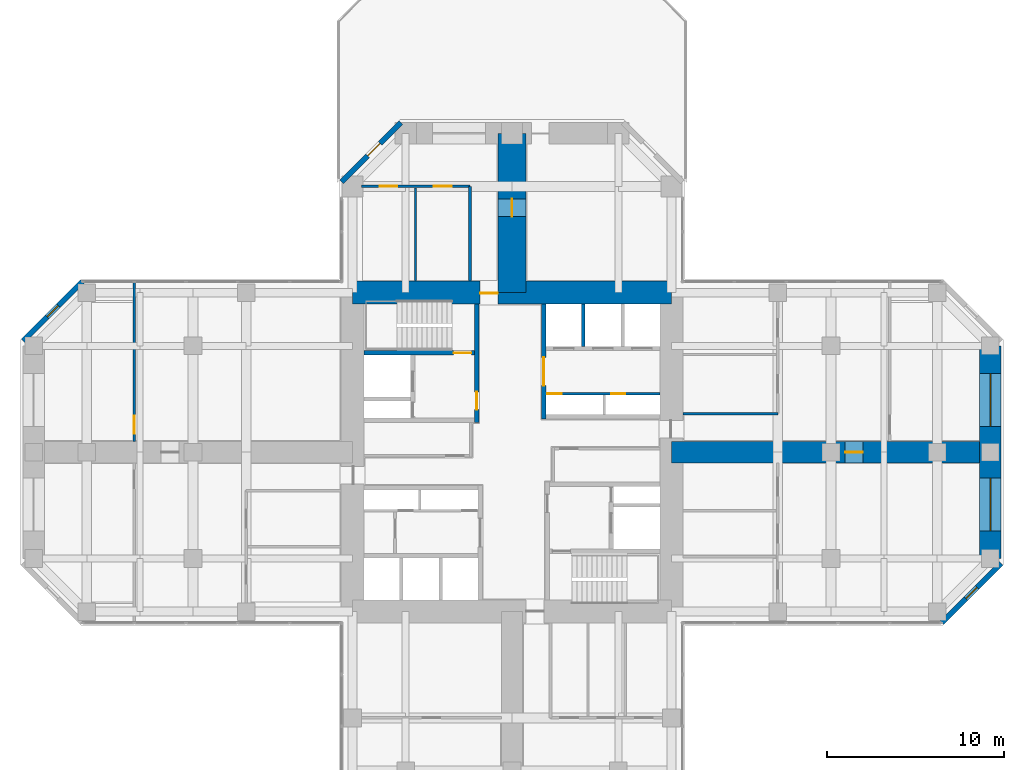
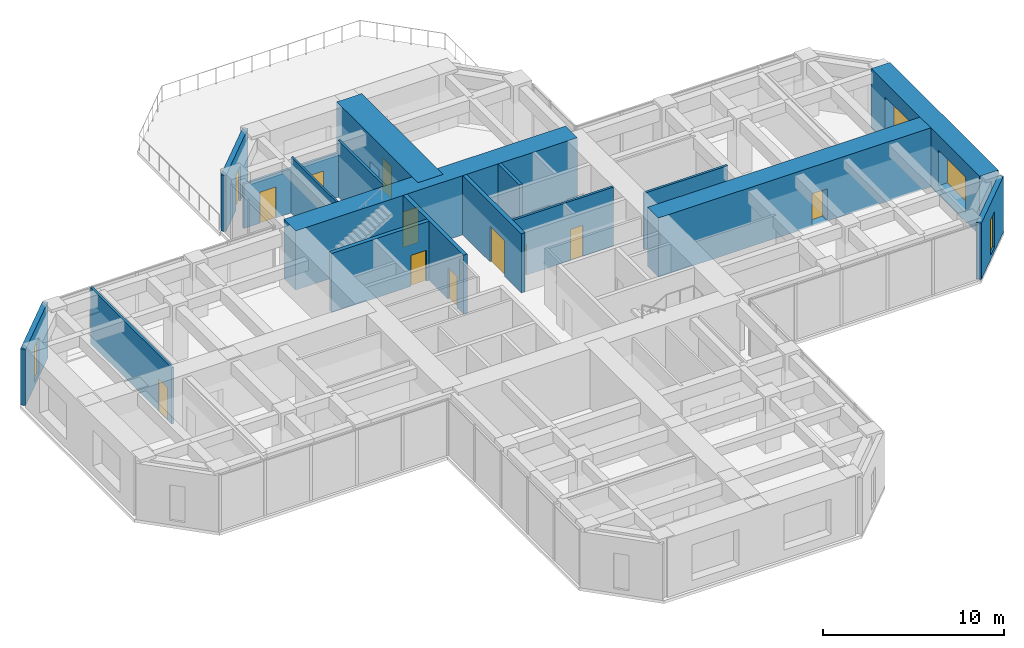
# One storey, part 10 of 12: 17 walls, 12 doors, 4 windows, 16 openings.
"""IFC4 building model written with IfcOpenShell, lengths in metres."""

import ifcopenshell
import ifcopenshell.guid

model = None  # the IFC model being written
_history = None  # IfcOwnerHistory: only IFC2X3 demands one
_inside = {}  # id of a spatial element -> (the spatial element, [elements in it])
_under = {}  # id of a project, library or spatial element -> (it, [spatial elements below it])
_declared = {}  # id of a project -> (the project, [libraries it declares])
_typed = {}  # id of a type object -> (the type object, [elements of that type])
_made_of = {}  # id of a material, layer set ... -> (it, [elements and type objects made of it])


def new_model(schema):
    """Start an empty IFC model of exactly this schema.

    Asked for "IFC4X3", IfcOpenShell would pick the latest addendum, in which some entities
    have other attributes; the version numbers below select the first issue.
    IFC2X3 requires an IfcOwnerHistory on every rooted entity: one is made here for all.
    """
    global model, _history
    if schema == "IFC4X3":
        model = ifcopenshell.file(schema_version=(4, 3, 0, 0))
    else:
        model = ifcopenshell.file(schema=schema)
    _inside.clear()
    _under.clear()
    _declared.clear()
    _typed.clear()
    _made_of.clear()
    _history = None
    if model.schema == "IFC2X3":
        org = make("IfcOrganization", Name="unknown")
        user = make(
            "IfcPersonAndOrganization",
            ThePerson=make("IfcPerson", FamilyName="unknown"),
            TheOrganization=org,
        )
        app = make(
            "IfcApplication",
            ApplicationDeveloper=org,
            Version="unknown",
            ApplicationFullName="unknown",
            ApplicationIdentifier="unknown",
        )
        _history = make(
            "IfcOwnerHistory",
            OwningUser=user,
            OwningApplication=app,
            ChangeAction="ADDED",
            CreationDate=0,
        )
    return model


def make(cls, **values):
    """One entity of the class cls with the attributes given. An attribute that is None is left unset."""
    return model.create_entity(
        cls, **{name: value for name, value in values.items() if value is not None}
    )


def rooted(cls, **values):
    """An entity with a GlobalId (a new one), such as an element, a storey or a relation."""
    return make(cls, GlobalId=ifcopenshell.guid.new(), OwnerHistory=_history, **values)


def si_unit(unit_type, name, prefix=None):
    """IfcSIUnit, for example si_unit("LENGTHUNIT", "METRE", prefix="MILLI")."""
    return make("IfcSIUnit", UnitType=unit_type, Prefix=prefix, Name=name)


def assignment(units):
    """IfcUnitAssignment: the units of a project."""
    return None if units is None else make("IfcUnitAssignment", Units=units)


def point(xyz):
    """IfcCartesianPoint."""
    return None if xyz is None else make("IfcCartesianPoint", Coordinates=xyz)


def direction(xyz):
    """IfcDirection."""
    return None if xyz is None else make("IfcDirection", DirectionRatios=xyz)


def frame(location, z_axis=None, x_axis=None):
    """IfcAxis2Placement3D, a coordinate frame: its origin and axes. An axis left out is left unset."""
    return make(
        "IfcAxis2Placement3D",
        Location=point(location),
        Axis=direction(z_axis),
        RefDirection=direction(x_axis),
    )


def frame_2d(location, x_axis=None):
    """IfcAxis2Placement2D, a coordinate frame in the plane: its origin and x axis."""
    return make(
        "IfcAxis2Placement2D", Location=point(location), RefDirection=direction(x_axis)
    )


def origin():
    """The frame at (0, 0, 0) with its axes left unset."""
    return frame((0.0, 0.0, 0.0))


def place(relative_to, where):
    """IfcLocalPlacement: puts the frame where relative to a parent placement (None: the world)."""
    return make(
        "IfcLocalPlacement", PlacementRelTo=relative_to, RelativePlacement=where
    )


def context(
    kind, dimensions, precision=None, world=None, true_north=None, identifier=None
):
    """IfcGeometricRepresentationContext, for example the 3D "Model" context."""
    return make(
        "IfcGeometricRepresentationContext",
        ContextIdentifier=identifier,
        ContextType=kind,
        CoordinateSpaceDimension=dimensions,
        Precision=precision,
        WorldCoordinateSystem=world,
        TrueNorth=true_north,
    )


def subcontext(parent, identifier, kind, view, scale=None):
    """IfcGeometricRepresentationSubContext, for example "Body" below "Model"."""
    return make(
        "IfcGeometricRepresentationSubContext",
        ContextIdentifier=identifier,
        ContextType=kind,
        ParentContext=parent,
        TargetScale=scale,
        TargetView=view,
    )


def project(units=None, contexts=None):
    """IfcProject with its units and contexts."""
    return rooted(
        "IfcProject",
        Name="project",
        RepresentationContexts=contexts,
        UnitsInContext=assignment(units),
    )


def spatial(cls, under=None, at=None, **own):
    """A site, building, storey or space (cls), placed at a placement, below another one or the project."""
    s = rooted(cls, ObjectPlacement=at, **own)
    if under is not None:
        _under.setdefault(under.id(), (under, []))[1].append(s)
    return s


def profile(cls, at=None, kind="AREA", **sizes):
    """A parametric profile (cls). Its sizes go by their IFC names, for example OverallWidth=200.0."""
    return make(cls, ProfileType=kind, Position=at, **sizes)


def rectangle(**sizes):
    """IfcRectangleProfileDef."""
    return profile("IfcRectangleProfileDef", **sizes)


def hollow_rectangle(**sizes):
    """IfcRectangleHollowProfileDef."""
    return profile("IfcRectangleHollowProfileDef", **sizes)


def extrude(swept, where, along, depth):
    """IfcExtrudedAreaSolid: the profile swept, set in the frame where, extruded along a direction by depth."""
    return make(
        "IfcExtrudedAreaSolid",
        SweptArea=swept,
        Position=where,
        ExtrudedDirection=direction(along),
        Depth=depth,
    )


def shape(context_of_items, identifier, shape_type, items):
    """IfcShapeRepresentation: the items that make up one representation, for example the "Body"."""
    return make(
        "IfcShapeRepresentation",
        ContextOfItems=context_of_items,
        RepresentationIdentifier=identifier,
        RepresentationType=shape_type,
        Items=items,
    )


def material(Name=None, Category=None):
    """IfcMaterial."""
    return make("IfcMaterial", Name=Name, Category=Category)


def layer(
    of_material, thickness, ventilated=None, Name=None, Category=None, Priority=None
):
    """IfcMaterialLayer: one layer of a wall or slab, of a material (None: an air gap)."""
    return make(
        "IfcMaterialLayer",
        Material=of_material,
        LayerThickness=thickness,
        IsVentilated=ventilated,
        Name=Name,
        Category=Category,
        Priority=Priority,
    )


def layer_set(layers, Name=None):
    """IfcMaterialLayerSet."""
    return make("IfcMaterialLayerSet", MaterialLayers=layers, LayerSetName=Name)


def constituent(of_material, Name=None, Category=None, fraction=None):
    """IfcMaterialConstituent: one of the materials an element consists of."""
    return make(
        "IfcMaterialConstituent",
        Name=Name,
        Material=of_material,
        Fraction=fraction,
        Category=Category,
    )


def constituent_set(constituents=None, Name=None):
    """IfcMaterialConstituentSet."""
    return make(
        "IfcMaterialConstituentSet", Name=Name, MaterialConstituents=constituents
    )


def made_of(thing, what):
    """Note that an element or type object is made of a material, layer set ...; save() writes the relation."""
    if what is not None:
        _made_of.setdefault(what.id(), (what, []))[1].append(thing)
    return thing


def type_object(cls, material=None, **own):
    """A type object (cls), such as IfcWallType, which elements share."""
    return made_of(rooted(cls, **own), material)


def element(
    cls,
    number,
    at=None,
    inside=None,
    cuts=None,
    type_object=None,
    material=None,
    context=None,
    identifier="Body",
    shape_type=None,
    held_by="IfcProductDefinitionShape",
    body=None,
    shapes=None,
    **own,
):
    """One element of the class cls, such as IfcWall. Its Tag is "e" and its number.

    at: its placement. inside: the storey or other place that contains it. cuts: it is an
    opening in that element (IfcRelVoidsElement). A single representation is given by context,
    identifier, shape_type and body (its items); several are given by shapes. held_by: the class
    of the entity that holds the representations. save() writes the other relations.
    """
    e = rooted(cls, Tag="e%d" % number, ObjectPlacement=at, **own)
    if body is not None:
        shapes = [shape(context, identifier, shape_type, body)]
    if shapes is not None:
        e.Representation = make(held_by, Representations=shapes)
    if inside is not None:
        _inside.setdefault(inside.id(), (inside, []))[1].append(e)
    if cuts is not None:
        rooted(
            "IfcRelVoidsElement", RelatingBuildingElement=cuts, RelatedOpeningElement=e
        )
    if type_object is not None:
        _typed.setdefault(type_object.id(), (type_object, []))[1].append(e)
    return made_of(e, material)


def fill(opening, filler):
    """IfcRelFillsElement: the door or window that sits in an opening."""
    return rooted(
        "IfcRelFillsElement",
        RelatingOpeningElement=opening,
        RelatedBuildingElement=filler,
    )


def aggregate(whole, parts):
    """IfcRelAggregates: a whole, such as a stair, and the parts it consists of."""
    return rooted("IfcRelAggregates", RelatingObject=whole, RelatedObjects=parts)


def save(model, path):
    """Write the relations noted so far, then the file.

    IfcRelAggregates (storeys below a building ...), IfcRelContainedInSpatialStructure (elements
    in a storey), IfcRelDefinesByType, IfcRelAssociatesMaterial and IfcRelDeclares: one each for
    every whole, place, type object, material and project.
    """
    for whole, parts in _under.values():
        aggregate(whole, parts)
    for where, things in _inside.values():
        rooted(
            "IfcRelContainedInSpatialStructure",
            RelatedElements=things,
            RelatingStructure=where,
        )
    for kind, things in _typed.values():
        rooted("IfcRelDefinesByType", RelatedObjects=things, RelatingType=kind)
    for what, things in _made_of.values():
        rooted("IfcRelAssociatesMaterial", RelatedObjects=things, RelatingMaterial=what)
    for by, libraries in _declared.values():
        rooted("IfcRelDeclares", RelatingContext=by, RelatedDefinitions=libraries)
    model.write(path)


model = new_model("IFC4")

# Units and contexts
model_context = context("Model", 3, precision=1e-05, world=origin(), true_north=direction((0.0, 1.0)))
body_context = subcontext(model_context, "Body", "Model", "MODEL_VIEW")
ifc_project = project(units=[si_unit("LENGTHUNIT", "METRE"), si_unit("AREAUNIT", "SQUARE_METRE"), si_unit("VOLUMEUNIT", "CUBIC_METRE"), si_unit("PLANEANGLEUNIT", "RADIAN"), si_unit("MASSUNIT", "GRAM", prefix="KILO")], contexts=[model_context])

# Site, building, storey
site_placement = place(None, origin())
site = spatial("IfcSite", under=ifc_project, at=site_placement, CompositionType="ELEMENT")
building_placement = place(site_placement, origin())
building = spatial("IfcBuilding", under=site, at=building_placement, Name="Torre Cruceta", CompositionType="ELEMENT")
storey_placement = place(building_placement, frame((0.0, 0.0, 100.5)))
storey = spatial("IfcBuildingStorey", under=building, at=storey_placement, Name="L24", CompositionType="ELEMENT", Elevation=100.5)

# Wall, opening, door
ifc_material_1 = material(Name="Concrete G60 (fck 60 MPa)", Category="concrete")
ifc_layer_1 = layer(ifc_material_1, 0.25)
ifc_layer_set_1 = layer_set([ifc_layer_1], Name="Concrete G60 (fck 60 MPa)")
wall_type_1 = type_object("IfcWallType", Name="CORE INNER WALL 250 G60", PredefinedType="SHEAR", material=ifc_layer_set_1)
wall_1_placement = place(storey_placement, frame((1.800048828125, 1.875, 0.0), z_axis=(0.0, 0.0, 1.0), x_axis=(0.0, 1.0, 0.0)))
wall_1 = element("IfcWall", 1, at=wall_1_placement, inside=storey, type_object=wall_type_1, Name="CW4 L24 NE-CU", PredefinedType="SHEAR", context=body_context, shape_type="SweptSolid", body=[
    extrude(rectangle(XDim=6.47509765625, YDim=0.25, at=frame_2d((3.237548828125, 0.0))), origin(), (0.0, 0.0, 1.0), 4.0),
])
opening_1_placement = place(wall_1_placement, frame((1.875, 0.0, 0.0)))
opening_1 = element("IfcOpeningElement", 2, at=opening_1_placement, cuts=wall_1, Name="Opening D8", PredefinedType="OPENING", context=body_context, shape_type="SweptSolid", body=[
    extrude(rectangle(XDim=1.60009765625, YDim=2.39990234375, at=frame_2d((0.800048828125, 1.199951171875))), frame((0.0, 0.135009765625, 0.0), z_axis=(0.0, -1.0, 0.0), x_axis=(1.0, 0.0, 0.0)), (0.0, 0.0, 1.0), 0.27001953125),
])
ifc_material_2 = material(Name="Steel DX51D", Category="steel")
ifc_constituent_1 = constituent(ifc_material_2, Name="Leaf and frame")
ifc_material_3 = material(Name="Polyester powder coating", Category="paint")
ifc_constituent_2 = constituent(ifc_material_3, Name="Finish")
ifc_material_4 = material(Name="Fire-resisting glass", Category="glass")
ifc_constituent_3 = constituent(ifc_material_4, Name="Vision panel")
ifc_constituent_set_1 = constituent_set(constituents=[ifc_constituent_1, ifc_constituent_2, ifc_constituent_3], Name="Steel fire door with vision panels")
door_type_1 = type_object("IfcDoorType", Name="LIFT LOBBY DOUBLE DOOR 1600X2400", OperationType="DOUBLE_DOOR_DOUBLE_SWING", PredefinedType="DOOR", material=ifc_constituent_set_1)
door_1_placement = place(opening_1_placement, origin())
door_1 = element("IfcDoor", 3, at=door_1_placement, inside=storey, type_object=door_type_1, Name="D8 L24 NE-LOBBY", OperationType="DOUBLE_DOOR_DOUBLE_SWING", OverallHeight=2.39990234375, OverallWidth=1.60009765625, PredefinedType="DOOR", context=body_context, shape_type="SweptSolid", body=[
    extrude(rectangle(XDim=1.60009765625, YDim=2.39990234375, at=frame_2d((0.800048828125, 1.199951171875))), frame((0.0, 0.02490234375, 0.0), z_axis=(0.0, -1.0, 0.0), x_axis=(1.0, 0.0, 0.0)), (0.0, 0.0, 1.0), 0.050048828125),
])
fill(opening_1, door_1)

wall_2_placement = place(storey_placement, frame((-2.0, 1.675048828125, 0.0), z_axis=(0.0, 0.0, 1.0), x_axis=(0.0, 1.0, 0.0)))
wall_2 = element("IfcWall", 4, at=wall_2_placement, inside=storey, type_object=wall_type_1, Name="CW4 L24 NW-CU", PredefinedType="SHEAR", context=body_context, shape_type="SweptSolid", body=[
    extrude(rectangle(XDim=6.675048828125, YDim=0.25, at=frame_2d((3.33740234375, 0.0))), origin(), (0.0, 0.0, 1.0), 4.0),
])
opening_2_placement = place(wall_2_placement, frame((0.72509765625, 0.0, 0.0)))
opening_2 = element("IfcOpeningElement", 5, at=opening_2_placement, cuts=wall_2, Name="Opening D3", PredefinedType="OPENING", context=body_context, shape_type="SweptSolid", body=[
    extrude(rectangle(XDim=1.0, YDim=2.10009765625, at=frame_2d((0.5, 1.050048828125))), frame((0.0, 0.135009765625, 0.0), z_axis=(0.0, -1.0, 0.0), x_axis=(1.0, 0.0, 0.0)), (0.0, 0.0, 1.0), 0.27001953125),
])
ifc_material_5 = material(Name="Steel DX51D", Category="steel")
ifc_constituent_4 = constituent(ifc_material_5, Name="Leaf and frame")
ifc_material_6 = material(Name="Polyester powder coating", Category="paint")
ifc_constituent_5 = constituent(ifc_material_6, Name="Finish")
ifc_constituent_set_2 = constituent_set(constituents=[ifc_constituent_4, ifc_constituent_5], Name="Steel fire door")
door_type_2 = type_object("IfcDoorType", Name="FIRE DOOR 1000X2100", OperationType="SINGLE_SWING_LEFT", PredefinedType="DOOR", material=ifc_constituent_set_2)
door_2_placement = place(opening_2_placement, origin())
door_2 = element("IfcDoor", 6, at=door_2_placement, inside=storey, type_object=door_type_2, Name="D3 L24 NW-LOBBY", OperationType="SINGLE_SWING_LEFT", OverallHeight=2.10009765625, OverallWidth=1.0, PredefinedType="DOOR", context=body_context, shape_type="SweptSolid", body=[
    extrude(rectangle(XDim=1.0, YDim=2.10009765625, at=frame_2d((0.5, 1.050048828125))), frame((0.0, 0.02490234375, 0.0), z_axis=(0.0, -1.0, 0.0), x_axis=(1.0, 0.0, 0.0)), (0.0, 0.0, 1.0), 0.050048828125),
])
fill(opening_2, door_2)

wall_3_placement = place(storey_placement, frame((-2.125, 5.60009765625, 0.0), z_axis=(0.0, 0.0, 1.0), x_axis=(-1.0, 0.0, 0.0)))
wall_3 = element("IfcWall", 7, at=wall_3_placement, inside=storey, type_object=wall_type_1, Name="CW4 L24 NW-SV", PredefinedType="SHEAR", context=body_context, shape_type="SweptSolid", body=[
    extrude(rectangle(XDim=6.22509765625, YDim=0.25, at=frame_2d((3.112548828125, 0.0))), origin(), (0.0, 0.0, 1.0), 4.0),
])
opening_3_placement = place(wall_3_placement, frame((0.175048828125, 0.0, 0.0)))
opening_3 = element("IfcOpeningElement", 8, at=opening_3_placement, cuts=wall_3, Name="Opening D3", PredefinedType="OPENING", context=body_context, shape_type="SweptSolid", body=[
    extrude(rectangle(XDim=1.0, YDim=2.10009765625, at=frame_2d((0.5, 1.050048828125))), frame((0.0, 0.135009765625, 0.0), z_axis=(0.0, -1.0, 0.0), x_axis=(1.0, 0.0, 0.0)), (0.0, 0.0, 1.0), 0.27001953125),
])
door_3_placement = place(opening_3_placement, frame((1.0, 0.0, 0.0), z_axis=(0.0, 0.0, 1.0), x_axis=(-1.0, 0.0, 0.0)))
door_3 = element("IfcDoor", 9, at=door_3_placement, inside=storey, type_object=door_type_2, Name="D3 L24 NW-STAIR", OperationType="SINGLE_SWING_RIGHT", OverallHeight=2.10009765625, OverallWidth=1.0, PredefinedType="DOOR", context=body_context, shape_type="SweptSolid", body=[
    extrude(rectangle(XDim=1.0, YDim=2.10009765625, at=frame_2d((0.5, 1.050048828125))), frame((0.0, 0.025146484375, 0.0), z_axis=(0.0, -1.0, 0.0), x_axis=(1.0, 0.0, 0.0)), (0.0, 0.0, 1.0), 0.050048828125),
])
fill(opening_3, door_3)

ifc_material_7 = material(Name="Concrete G60 (fck 60 MPa)", Category="concrete")
ifc_layer_2 = layer(ifc_material_7, 1.300048828125)
ifc_layer_set_2 = layer_set([ifc_layer_2], Name="Concrete G60 (fck 60 MPa)")
wall_type_2 = type_object("IfcWallType", Name="CORE WALL 1300 G60", PredefinedType="SHEAR", material=ifc_layer_set_2)
wall_4_placement = place(storey_placement, frame((9.0, 9.0, 0.0), z_axis=(0.0, 0.0, 1.0), x_axis=(-1.0, 0.0, 0.0)))
wall_4 = element("IfcWall", 10, at=wall_4_placement, inside=storey, type_object=wall_type_2, Name="CW1 L24 CW-N", PredefinedType="SHEAR", context=body_context, shape_type="SweptSolid", body=[
    extrude(rectangle(XDim=18.0, YDim=1.300048828125, at=frame_2d((9.0, 0.0))), origin(), (0.0, 0.0, 1.0), 4.0),
])
opening_4_placement = place(wall_4_placement, frame((9.800048828125, 0.0, 0.0)))
opening_4 = element("IfcOpeningElement", 11, at=opening_4_placement, cuts=wall_4, Name="Opening D4", PredefinedType="OPENING", context=body_context, shape_type="SweptSolid", body=[
    extrude(rectangle(XDim=1.0, YDim=2.39990234375, at=frame_2d((0.5, 1.199951171875))), frame((0.0, 0.659912109375, 0.0), z_axis=(0.0, -1.0, 0.0), x_axis=(1.0, 0.0, 0.0)), (0.0, 0.0, 1.0), 1.320068359375),
])
ifc_material_8 = material(Name="Steel DX51D", Category="steel")
ifc_constituent_6 = constituent(ifc_material_8, Name="Leaf and frame")
ifc_material_9 = material(Name="Polyester powder coating", Category="paint")
ifc_constituent_7 = constituent(ifc_material_9, Name="Finish")
ifc_constituent_set_3 = constituent_set(constituents=[ifc_constituent_6, ifc_constituent_7], Name="Steel fire door")
door_type_3 = type_object("IfcDoorType", Name="CORE ARM DOOR 1000X2400", OperationType="SINGLE_SWING_RIGHT", PredefinedType="DOOR", material=ifc_constituent_set_3)
door_4_placement = place(opening_4_placement, frame((1.0, 0.0, 0.0), z_axis=(0.0, 0.0, 1.0), x_axis=(-1.0, 0.0, 0.0)))
door_4 = element("IfcDoor", 12, at=door_4_placement, inside=storey, type_object=door_type_3, Name="D4 L24 CW-N", OperationType="SINGLE_SWING_RIGHT", OverallHeight=2.39990234375, OverallWidth=1.0, PredefinedType="DOOR", context=body_context, shape_type="SweptSolid", body=[
    extrude(rectangle(XDim=1.0, YDim=2.39990234375, at=frame_2d((0.5, 1.199951171875))), frame((0.0, -0.005126953125, 0.0), z_axis=(0.0, -1.0, 0.0), x_axis=(1.0, 0.0, 0.0)), (0.0, 0.0, 1.0), 0.050048828125),
])
fill(opening_4, door_4)

# Wall, opening, window
ifc_material_10 = material(Name="Concrete G30 (fck 30 MPa)", Category="concrete")
ifc_layer_3 = layer(ifc_material_10, 0.300048828125)
ifc_layer_set_3 = layer_set([ifc_layer_3], Name="Concrete G30 (fck 30 MPa)")
wall_type_3 = type_object("IfcWallType", Name="EXPOSED CONCRETE FACADE WALL 300", PredefinedType="SOLIDWALL", material=ifc_layer_set_3)
wall_5_placement = place(storey_placement, frame((24.2568359375, -9.6201171875, 0.0), z_axis=(0.0, 0.0, 1.0), x_axis=(0.707106781187, 0.707106781187, 0.0)))
wall_5 = element("IfcWall", 13, at=wall_5_placement, inside=storey, type_object=wall_type_3, Name="EW1 facade wall L24 E chamfer 01", PredefinedType="SOLIDWALL", context=body_context, shape_type="SweptSolid", body=[
    extrude(rectangle(XDim=4.72802734375, YDim=0.300048828125, at=frame_2d((2.364013671875, 0.0))), origin(), (0.0, 0.0, 1.0), 3.800048828125),
])
opening_5_placement = place(wall_5_placement, frame((1.9140625, 0.0, 0.300048828125)))
opening_5 = element("IfcOpeningElement", 14, at=opening_5_placement, cuts=wall_5, Name="Opening WN5", PredefinedType="OPENING", context=body_context, shape_type="SweptSolid", body=[
    extrude(rectangle(XDim=0.89990234375, YDim=2.39990234375, at=frame_2d((0.449951171875, 1.199951171875))), frame((0.0, 0.159912109375, 0.0), z_axis=(0.0, -1.0, 0.0), x_axis=(1.0, 0.0, 0.0)), (0.0, 0.0, 1.0), 0.320068359375),
])
ifc_material_11 = material(Name="Aluminium window frame", Category="aluminium")
ifc_constituent_8 = constituent(ifc_material_11, Name="Frame")
ifc_material_12 = material(Name="Laminated insulating glass unit, low-iron clear", Category="glass")
ifc_constituent_9 = constituent(ifc_material_12, Name="Glazing")
ifc_constituent_set_4 = constituent_set(constituents=[ifc_constituent_8, ifc_constituent_9], Name="Aluminium window")
window_type_1 = type_object("IfcWindowType", Name="CHAMFER SLOT WINDOW 900X2400", PartitioningType="SINGLE_PANEL", PredefinedType="WINDOW", material=ifc_constituent_set_4)
window_1_placement = place(opening_5_placement, origin())
window_1 = element("IfcWindow", 15, at=window_1_placement, inside=storey, type_object=window_type_1, Name="WN5 L24 E 1", OverallHeight=2.39990234375, OverallWidth=0.89990234375, PartitioningType="SINGLE_PANEL", PredefinedType="WINDOW", context=body_context, shape_type="SweptSolid", body=[
    extrude(hollow_rectangle(XDim=0.89990234375, YDim=2.39990234375, WallThickness=0.06005859375, at=frame_2d((0.449951171875, 1.199951171875))), frame((0.0, 0.030029296875, 0.0), z_axis=(0.0, -1.0, 0.0), x_axis=(1.0, 0.0, 0.0)), (0.0, 0.0, 1.0), 0.06005859375),
    extrude(rectangle(XDim=0.77880859375, YDim=2.27880859375, at=frame_2d((0.449951171875, 1.199951171875))), frame((0.0, 0.030029296875, 0.0), z_axis=(0.0, -1.0, 0.0), x_axis=(1.0, 0.0, 0.0)), (0.0, 0.0, 1.0), 0.06005859375),
])
fill(opening_5, window_1)

# Wall, opening, door
wall_6_placement = place(storey_placement, frame((-6.27685546875, 18.60009765625, 0.0), z_axis=(0.0, 0.0, 1.0), x_axis=(-0.707106781187, -0.707106781187, 0.0)))
wall_6 = element("IfcWall", 16, at=wall_6_placement, inside=storey, type_object=wall_type_3, Name="EW1 facade wall L24 N chamfer 08", PredefinedType="SOLIDWALL", context=body_context, shape_type="SweptSolid", body=[
    extrude(rectangle(XDim=4.72802734375, YDim=0.300048828125, at=frame_2d((2.364013671875, 0.0))), origin(), (0.0, 0.0, 1.0), 3.800048828125),
])
opening_6_placement = place(wall_6_placement, frame((1.64990234375, 0.0, 0.0)))
opening_6 = element("IfcOpeningElement", 17, at=opening_6_placement, cuts=wall_6, Name="Opening D11", PredefinedType="OPENING", context=body_context, shape_type="SweptSolid", body=[
    extrude(rectangle(XDim=1.0, YDim=2.39990234375, at=frame_2d((0.5, 1.199951171875))), frame((0.0, 0.159912109375, 0.0), z_axis=(0.0, -1.0, 0.0), x_axis=(1.0, 0.0, 0.0)), (0.0, 0.0, 1.0), 0.320068359375),
])
ifc_material_13 = material(Name="Aluminium door frame", Category="aluminium")
ifc_constituent_10 = constituent(ifc_material_13, Name="Frame")
ifc_material_14 = material(Name="Laminated safety glass", Category="glass")
ifc_constituent_11 = constituent(ifc_material_14, Name="Glazing")
ifc_constituent_set_5 = constituent_set(constituents=[ifc_constituent_10, ifc_constituent_11], Name="Aluminium glazed door")
door_type_4 = type_object("IfcDoorType", Name="TERRACE DOOR 1000X2400", OperationType="SINGLE_SWING_LEFT", PredefinedType="DOOR", material=ifc_constituent_set_5)
door_5_placement = place(opening_6_placement, origin())
door_5 = element("IfcDoor", 18, at=door_5_placement, inside=storey, type_object=door_type_4, Name="D11 terrace door L24 N", OperationType="SINGLE_SWING_LEFT", OverallHeight=2.39990234375, OverallWidth=1.0, PredefinedType="DOOR", context=body_context, shape_type="SweptSolid", body=[
    extrude(hollow_rectangle(XDim=1.0, YDim=2.39990234375, WallThickness=0.06005859375, at=frame_2d((0.5, 1.199951171875))), frame((0.0, 0.02490234375, 0.0), z_axis=(0.0, -1.0, 0.0), x_axis=(1.0, 0.0, 0.0)), (0.0, 0.0, 1.0), 0.050048828125),
    extrude(rectangle(XDim=0.87890625, YDim=2.27880859375, at=frame_2d((0.5, 1.199951171875))), frame((0.0, 0.02490234375, 0.0), z_axis=(0.0, -1.0, 0.0), x_axis=(1.0, 0.0, 0.0)), (0.0, 0.0, 1.0), 0.050048828125),
])
fill(opening_6, door_5)

# Wall, opening, window
wall_7_placement = place(storey_placement, frame((-24.2568359375, 9.6201171875, 0.0), z_axis=(0.0, 0.0, 1.0), x_axis=(-0.707106781187, -0.707106781187, 0.0)))
wall_7 = element("IfcWall", 19, at=wall_7_placement, inside=storey, type_object=wall_type_3, Name="EW1 facade wall L24 W chamfer 11", PredefinedType="SOLIDWALL", context=body_context, shape_type="SweptSolid", body=[
    extrude(rectangle(XDim=4.72802734375, YDim=0.300048828125, at=frame_2d((2.364013671875, 0.0))), origin(), (0.0, 0.0, 1.0), 3.800048828125),
])
opening_7_placement = place(wall_7_placement, frame((1.9140625, 0.0, 0.300048828125)))
opening_7 = element("IfcOpeningElement", 20, at=opening_7_placement, cuts=wall_7, Name="Opening WN5", PredefinedType="OPENING", context=body_context, shape_type="SweptSolid", body=[
    extrude(rectangle(XDim=0.89990234375, YDim=2.39990234375, at=frame_2d((0.449951171875, 1.199951171875))), frame((0.0, 0.159912109375, 0.0), z_axis=(0.0, -1.0, 0.0), x_axis=(1.0, 0.0, 0.0)), (0.0, 0.0, 1.0), 0.320068359375),
])
window_2_placement = place(opening_7_placement, origin())
window_2 = element("IfcWindow", 21, at=window_2_placement, inside=storey, type_object=window_type_1, Name="WN5 L24 W 1", OverallHeight=2.39990234375, OverallWidth=0.89990234375, PartitioningType="SINGLE_PANEL", PredefinedType="WINDOW", context=body_context, shape_type="SweptSolid", body=[
    extrude(hollow_rectangle(XDim=0.89990234375, YDim=2.39990234375, WallThickness=0.06005859375, at=frame_2d((0.449951171875, 1.199951171875))), frame((0.0, 0.030029296875, 0.0), z_axis=(0.0, -1.0, 0.0), x_axis=(1.0, 0.0, 0.0)), (0.0, 0.0, 1.0), 0.06005859375),
    extrude(rectangle(XDim=0.77880859375, YDim=2.27880859375, at=frame_2d((0.449951171875, 1.199951171875))), frame((0.0, 0.030029296875, 0.0), z_axis=(0.0, -1.0, 0.0), x_axis=(1.0, 0.0, 0.0)), (0.0, 0.0, 1.0), 0.06005859375),
])
fill(opening_7, window_2)

# Wall
ifc_material_15 = material(Name="Concrete G35 (fck 35 MPa)", Category="concrete")
ifc_layer_4 = layer(ifc_material_15, 0.199951171875)
ifc_layer_set_4 = layer_set([ifc_layer_4], Name="Concrete G35 (fck 35 MPa)")
wall_type_4 = type_object("IfcWallType", Name="LIFT SHAFT WALL 200", PredefinedType="PARTITIONING", material=ifc_layer_set_4)
wall_8_placement = place(storey_placement, frame((4.033447265625, 5.97509765625, 0.0), z_axis=(0.0, 0.0, 1.0), x_axis=(0.0, 1.0, 0.0)))
element("IfcWall", 22, at=wall_8_placement, inside=storey, type_object=wall_type_4, Name="SW1 L24 NE-LS1", PredefinedType="PARTITIONING", context=body_context, shape_type="SweptSolid", body=[
    extrude(rectangle(XDim=2.375, YDim=0.199951171875, at=frame_2d((1.1875, 0.0))), origin(), (0.0, 0.0, 1.0), 4.0),
])

# Wall, openings, windows
ifc_material_16 = material(Name="Concrete G60 (fck 60 MPa)", Category="concrete")
ifc_layer_5 = layer(ifc_material_16, 1.199951171875)
ifc_layer_set_5 = layer_set([ifc_layer_5], Name="Concrete G60 (fck 60 MPa)")
wall_type_5 = type_object("IfcWallType", Name="NOSE WALL 1200 G60", PredefinedType="SHEAR", material=ifc_layer_set_5)
wall_9_placement = place(storey_placement, frame((27.0, -6.0, 0.0), z_axis=(0.0, 0.0, 1.0), x_axis=(0.0, 1.0, 0.0)))
wall_9 = element("IfcWall", 23, at=wall_9_placement, inside=storey, type_object=wall_type_5, Name="NW1 nose wall L24 E", PredefinedType="SHEAR", context=body_context, shape_type="SweptSolid", body=[
    extrude(rectangle(XDim=12.0, YDim=1.199951171875, at=frame_2d((6.0, 0.0))), origin(), (0.0, 0.0, 1.0), 4.0),
])
opening_8_placement = place(wall_9_placement, frame((1.550048828125, 0.0, 0.60009765625)))
opening_8 = element("IfcOpeningElement", 24, at=opening_8_placement, cuts=wall_9, Name="Opening WN6", PredefinedType="OPENING", context=body_context, shape_type="SweptSolid", body=[
    extrude(rectangle(XDim=3.0, YDim=2.39990234375, at=frame_2d((1.5, 1.199951171875))), frame((0.0, 0.60986328125, 0.0), z_axis=(0.0, -1.0, 0.0), x_axis=(1.0, 0.0, 0.0)), (0.0, 0.0, 1.0), 1.219970703125),
])
opening_9_placement = place(wall_9_placement, frame((7.449951171875, 0.0, 0.60009765625)))
opening_9 = element("IfcOpeningElement", 25, at=opening_9_placement, cuts=wall_9, Name="Opening WN6", PredefinedType="OPENING", context=body_context, shape_type="SweptSolid", body=[
    extrude(rectangle(XDim=3.0, YDim=2.39990234375, at=frame_2d((1.5, 1.199951171875))), frame((0.0, 0.60986328125, 0.0), z_axis=(0.0, -1.0, 0.0), x_axis=(1.0, 0.0, 0.0)), (0.0, 0.0, 1.0), 1.219970703125),
])
ifc_material_17 = material(Name="Aluminium window frame", Category="aluminium")
ifc_constituent_12 = constituent(ifc_material_17, Name="Frame")
ifc_material_18 = material(Name="Laminated insulating glass unit, low-iron clear", Category="glass")
ifc_constituent_13 = constituent(ifc_material_18, Name="Glazing")
ifc_constituent_set_6 = constituent_set(constituents=[ifc_constituent_12, ifc_constituent_13], Name="Aluminium window")
window_type_2 = type_object("IfcWindowType", Name="NOSE WALL WINDOW 3000X2400", PartitioningType="SINGLE_PANEL", PredefinedType="WINDOW", material=ifc_constituent_set_6)
window_3_placement = place(opening_8_placement, origin())
window_3 = element("IfcWindow", 26, at=window_3_placement, inside=storey, type_object=window_type_2, Name="WN6 L24 E 1", OverallHeight=2.39990234375, OverallWidth=3.0, PartitioningType="SINGLE_PANEL", PredefinedType="WINDOW", context=body_context, shape_type="SweptSolid", body=[
    extrude(hollow_rectangle(XDim=3.0, YDim=2.39990234375, WallThickness=0.06005859375, at=frame_2d((1.5, 1.199951171875))), frame((0.0, 0.030029296875, 0.0), z_axis=(0.0, -1.0, 0.0), x_axis=(1.0, 0.0, 0.0)), (0.0, 0.0, 1.0), 0.06005859375),
    extrude(rectangle(XDim=2.87890625, YDim=2.27880859375, at=frame_2d((1.5, 1.199951171875))), frame((0.0, 0.030029296875, 0.0), z_axis=(0.0, -1.0, 0.0), x_axis=(1.0, 0.0, 0.0)), (0.0, 0.0, 1.0), 0.06005859375),
])
fill(opening_8, window_3)
window_4_placement = place(opening_9_placement, origin())
window_4 = element("IfcWindow", 27, at=window_4_placement, inside=storey, type_object=window_type_2, Name="WN6 L24 E 2", OverallHeight=2.39990234375, OverallWidth=3.0, PartitioningType="SINGLE_PANEL", PredefinedType="WINDOW", context=body_context, shape_type="SweptSolid", body=[
    extrude(hollow_rectangle(XDim=3.0, YDim=2.39990234375, WallThickness=0.06005859375, at=frame_2d((1.5, 1.199951171875))), frame((0.0, 0.030029296875, 0.0), z_axis=(0.0, -1.0, 0.0), x_axis=(1.0, 0.0, 0.0)), (0.0, 0.0, 1.0), 0.06005859375),
    extrude(rectangle(XDim=2.87890625, YDim=2.27880859375, at=frame_2d((1.5, 1.199951171875))), frame((0.0, 0.030029296875, 0.0), z_axis=(0.0, -1.0, 0.0), x_axis=(1.0, 0.0, 0.0)), (0.0, 0.0, 1.0), 0.06005859375),
])
fill(opening_9, window_4)

# Wall, openings, doors
ifc_material_19 = material(Name="Plasterboard on steel studs", Category="steel")
ifc_layer_6 = layer(ifc_material_19, 0.14990234375)
ifc_layer_set_6 = layer_set([ifc_layer_6], Name="Plasterboard on steel studs")
wall_type_6 = type_object("IfcWallType", Name="PARTITION 150", PredefinedType="PARTITIONING", material=ifc_layer_set_6)
wall_10_placement = place(storey_placement, frame((-2.375, 15.0, 0.0), z_axis=(0.0, 0.0, 1.0), x_axis=(-1.0, 0.0, 0.0)))
wall_10 = element("IfcWall", 28, at=wall_10_placement, inside=storey, type_object=wall_type_6, Name="PT1 L24-N-BFL", PredefinedType="PARTITIONING", context=body_context, shape_type="SweptSolid", body=[
    extrude(rectangle(XDim=6.125, YDim=0.14990234375, at=frame_2d((3.0625, 0.0))), origin(), (0.0, 0.0, 1.0), 3.0),
])
opening_10_placement = place(wall_10_placement, frame((1.03125, 0.0, 0.0)))
opening_10 = element("IfcOpeningElement", 29, at=opening_10_placement, cuts=wall_10, Name="Opening D3", PredefinedType="OPENING", context=body_context, shape_type="SweptSolid", body=[
    extrude(rectangle(XDim=1.0, YDim=2.10009765625, at=frame_2d((0.5, 1.050048828125))), frame((0.0, 0.0849609375, 0.0), z_axis=(0.0, -1.0, 0.0), x_axis=(1.0, 0.0, 0.0)), (0.0, 0.0, 1.0), 0.169921875),
])
opening_11_placement = place(wall_10_placement, frame((4.09375, 0.0, 0.0)))
opening_11 = element("IfcOpeningElement", 30, at=opening_11_placement, cuts=wall_10, Name="Opening D3", PredefinedType="OPENING", context=body_context, shape_type="SweptSolid", body=[
    extrude(rectangle(XDim=1.0, YDim=2.10009765625, at=frame_2d((0.5, 1.050048828125))), frame((0.0, 0.0849609375, 0.0), z_axis=(0.0, -1.0, 0.0), x_axis=(1.0, 0.0, 0.0)), (0.0, 0.0, 1.0), 0.169921875),
])
door_6_placement = place(opening_10_placement, origin())
door_6 = element("IfcDoor", 31, at=door_6_placement, inside=storey, type_object=door_type_2, Name="D3 L24-N-BFL-D1", OperationType="SINGLE_SWING_LEFT", OverallHeight=2.10009765625, OverallWidth=1.0, PredefinedType="DOOR", context=body_context, shape_type="SweptSolid", body=[
    extrude(rectangle(XDim=1.0, YDim=2.10009765625, at=frame_2d((0.5, 1.050048828125))), frame((0.0, 0.02490234375, 0.0), z_axis=(0.0, -1.0, 0.0), x_axis=(1.0, 0.0, 0.0)), (0.0, 0.0, 1.0), 0.050048828125),
])
fill(opening_10, door_6)
door_7_placement = place(opening_11_placement, origin())
door_7 = element("IfcDoor", 32, at=door_7_placement, inside=storey, type_object=door_type_2, Name="D3 L24-N-BFL-D2", OperationType="SINGLE_SWING_LEFT", OverallHeight=2.10009765625, OverallWidth=1.0, PredefinedType="DOOR", context=body_context, shape_type="SweptSolid", body=[
    extrude(rectangle(XDim=1.0, YDim=2.10009765625, at=frame_2d((0.5, 1.050048828125))), frame((0.0, 0.02490234375, 0.0), z_axis=(0.0, -1.0, 0.0), x_axis=(1.0, 0.0, 0.0)), (0.0, 0.0, 1.0), 0.050048828125),
])
fill(opening_11, door_7)

# Walls
for number, where, z_axis, x_axis, name in (
    (33, (-2.375, 9.64990234375, 0.0), (0.0, 0.0, 1.0), (0.0, 1.0, 0.0), "PT1 L24-N-BSL"),
    (34, (9.64990234375, 2.175048828125, 0.0), (0.0, 0.0, 1.0), (1.0, 0.0, 0.0), "PT1 L24-E-BSL"),
):
    element("IfcWall", number, at=place(storey_placement, frame(where, z_axis=z_axis, x_axis=x_axis)), inside=storey, type_object=wall_type_6, Name=name, PredefinedType="PARTITIONING", context=body_context, shape_type="SweptSolid", body=[
        extrude(rectangle(XDim=5.35009765625, YDim=0.14990234375, at=frame_2d((2.675048828125, 0.0))), origin(), (0.0, 0.0, 1.0), 3.800048828125),
    ])

# Wall, opening, door
wall_11_placement = place(storey_placement, frame((-21.320068359375, 9.580078125, 0.0), z_axis=(0.0, 0.0, 1.0), x_axis=(0.0, -1.0, 0.0)))
wall_11 = element("IfcWall", 35, at=wall_11_placement, inside=storey, type_object=wall_type_6, Name="PT1 L24-W-TWR", PredefinedType="PARTITIONING", context=body_context, shape_type="SweptSolid", body=[
    extrude(rectangle(XDim=8.97998046875, YDim=0.14990234375, at=frame_2d((4.489990234375, 0.0))), origin(), (0.0, 0.0, 1.0), 3.800048828125),
])
opening_12_placement = place(wall_11_placement, frame((7.530029296875, 0.0, 0.0)))
opening_12 = element("IfcOpeningElement", 36, at=opening_12_placement, cuts=wall_11, Name="Opening D14", PredefinedType="OPENING", context=body_context, shape_type="SweptSolid", body=[
    extrude(rectangle(XDim=1.0, YDim=2.199951171875, at=frame_2d((0.5, 1.10009765625))), frame((0.0, 0.0849609375, 0.0), z_axis=(0.0, -1.0, 0.0), x_axis=(1.0, 0.0, 0.0)), (0.0, 0.0, 1.0), 0.169921875),
])
ifc_material_20 = material(Name="Steel DX51D", Category="steel")
ifc_constituent_14 = constituent(ifc_material_20, Name="Leaf and frame")
ifc_material_21 = material(Name="Polyester powder coating", Category="paint")
ifc_constituent_15 = constituent(ifc_material_21, Name="Finish")
ifc_material_22 = material(Name="Fire-resisting glass", Category="glass")
ifc_constituent_16 = constituent(ifc_material_22, Name="Vision panel")
ifc_constituent_set_7 = constituent_set(constituents=[ifc_constituent_14, ifc_constituent_15, ifc_constituent_16], Name="Steel fire door with vision panel")
door_type_5 = type_object("IfcDoorType", Name="FIRE DOOR VISION PANEL 1000X2200", OperationType="SINGLE_SWING_RIGHT", PredefinedType="DOOR", material=ifc_constituent_set_7)
door_8_placement = place(opening_12_placement, frame((1.0, 0.0, 0.0), z_axis=(0.0, 0.0, 1.0), x_axis=(-1.0, 0.0, 0.0)))
door_8 = element("IfcDoor", 37, at=door_8_placement, inside=storey, type_object=door_type_5, Name="D14 L24-W-TWR-D1", OperationType="SINGLE_SWING_LEFT", OverallHeight=2.199951171875, OverallWidth=1.0, PredefinedType="DOOR", context=body_context, shape_type="SweptSolid", body=[
    extrude(rectangle(XDim=1.0, YDim=2.199951171875, at=frame_2d((0.5, 1.10009765625))), frame((0.0, 0.025146484375, 0.0), z_axis=(0.0, -1.0, 0.0), x_axis=(1.0, 0.0, 0.0)), (0.0, 0.0, 1.0), 0.050048828125),
])
fill(opening_12, door_8)

# Wall, openings, doors
ifc_material_23 = material(Name="Concrete block masonry", Category="masonry")
ifc_layer_7 = layer(ifc_material_23, 0.14990234375)
ifc_layer_set_7 = layer_set([ifc_layer_7], Name="Concrete block masonry")
wall_type_7 = type_object("IfcWallType", Name="RISER WALL 150", PredefinedType="PARTITIONING", material=ifc_layer_set_7)
wall_12_placement = place(storey_placement, frame((1.925048828125, 3.300048828125, 0.0), z_axis=(0.0, 0.0, 1.0), x_axis=(1.0, 0.0, 0.0)))
wall_12 = element("IfcWall", 38, at=wall_12_placement, inside=storey, type_object=wall_type_7, Name="SW7 L24 NE-RV", PredefinedType="PARTITIONING", context=body_context, shape_type="SweptSolid", body=[
    extrude(rectangle(XDim=6.425048828125, YDim=0.14990234375, at=frame_2d((3.21240234375, 0.0))), origin(), (0.0, 0.0, 1.0), 4.0),
])
opening_13_placement = place(wall_12_placement, frame((0.074951171875, 0.0, 0.0)))
opening_13 = element("IfcOpeningElement", 39, at=opening_13_placement, cuts=wall_12, Name="Opening D5", PredefinedType="OPENING", context=body_context, shape_type="SweptSolid", body=[
    extrude(rectangle(XDim=0.800048828125, YDim=2.10009765625, at=frame_2d((0.39990234375, 1.050048828125))), frame((0.0, 0.0849609375, 0.0), z_axis=(0.0, -1.0, 0.0), x_axis=(1.0, 0.0, 0.0)), (0.0, 0.0, 1.0), 0.169921875),
])
opening_14_placement = place(wall_12_placement, frame((3.675048828125, 0.0, 0.0)))
opening_14 = element("IfcOpeningElement", 40, at=opening_14_placement, cuts=wall_12, Name="Opening D5", PredefinedType="OPENING", context=body_context, shape_type="SweptSolid", body=[
    extrude(rectangle(XDim=0.800048828125, YDim=2.10009765625, at=frame_2d((0.39990234375, 1.050048828125))), frame((0.0, 0.0849609375, 0.0), z_axis=(0.0, -1.0, 0.0), x_axis=(1.0, 0.0, 0.0)), (0.0, 0.0, 1.0), 0.169921875),
])
ifc_material_24 = material(Name="Steel DX51D", Category="steel")
ifc_constituent_17 = constituent(ifc_material_24, Name="Leaf and frame")
ifc_material_25 = material(Name="Polyester powder coating", Category="paint")
ifc_constituent_18 = constituent(ifc_material_25, Name="Finish")
ifc_constituent_set_8 = constituent_set(constituents=[ifc_constituent_17, ifc_constituent_18], Name="Steel fire door")
door_type_6 = type_object("IfcDoorType", Name="RISER ACCESS DOOR 800X2100", OperationType="SINGLE_SWING_LEFT", PredefinedType="DOOR", material=ifc_constituent_set_8)
door_9_placement = place(opening_13_placement, frame((0.800048828125, 0.0, 0.0), z_axis=(0.0, 0.0, 1.0), x_axis=(-1.0, 0.0, 0.0)))
door_9 = element("IfcDoor", 41, at=door_9_placement, inside=storey, type_object=door_type_6, Name="D5 L24 NE-RISER1", OperationType="SINGLE_SWING_RIGHT", OverallHeight=2.10009765625, OverallWidth=0.800048828125, PredefinedType="DOOR", context=body_context, shape_type="SweptSolid", body=[
    extrude(rectangle(XDim=0.800048828125, YDim=2.10009765625, at=frame_2d((0.400146484375, 1.050048828125))), frame((0.0, 0.025146484375, 0.0), z_axis=(0.0, -1.0, 0.0), x_axis=(1.0, 0.0, 0.0)), (0.0, 0.0, 1.0), 0.050048828125),
])
fill(opening_13, door_9)
door_10_placement = place(opening_14_placement, frame((0.800048828125, 0.0, 0.0), z_axis=(0.0, 0.0, 1.0), x_axis=(-1.0, 0.0, 0.0)))
door_10 = element("IfcDoor", 42, at=door_10_placement, inside=storey, type_object=door_type_6, Name="D5 L24 NE-RISER2", OperationType="SINGLE_SWING_RIGHT", OverallHeight=2.10009765625, OverallWidth=0.800048828125, PredefinedType="DOOR", context=body_context, shape_type="SweptSolid", body=[
    extrude(rectangle(XDim=0.800048828125, YDim=2.10009765625, at=frame_2d((0.400146484375, 1.050048828125))), frame((0.0, 0.025146484375, 0.0), z_axis=(0.0, -1.0, 0.0), x_axis=(1.0, 0.0, 0.0)), (0.0, 0.0, 1.0), 0.050048828125),
])
fill(opening_14, door_10)

# Wall, opening, door
ifc_material_26 = material(Name="Concrete G60 (fck 60 MPa)", Category="concrete")
ifc_layer_8 = layer(ifc_material_26, 1.199951171875)
ifc_layer_set_8 = layer_set([ifc_layer_8], Name="Concrete G60 (fck 60 MPa)")
wall_type_8 = type_object("IfcWallType", Name="SPINE WALL 1200 G60", PredefinedType="SHEAR", material=ifc_layer_set_8)
wall_13_placement = place(storey_placement, frame((9.0, 0.0, 0.0), z_axis=(0.0, 0.0, 1.0), x_axis=(1.0, 0.0, 0.0)))
wall_13 = element("IfcWall", 43, at=wall_13_placement, inside=storey, type_object=wall_type_8, Name="SW3 spine wall L24 E", PredefinedType="SHEAR", context=body_context, shape_type="SweptSolid", body=[
    extrude(rectangle(XDim=18.0, YDim=1.199951171875, at=frame_2d((9.0, 0.0))), origin(), (0.0, 0.0, 1.0), 4.0),
])
opening_15_placement = place(wall_13_placement, frame((9.800048828125, 0.0, 0.0)))
opening_15 = element("IfcOpeningElement", 44, at=opening_15_placement, cuts=wall_13, Name="Opening D14", PredefinedType="OPENING", context=body_context, shape_type="SweptSolid", body=[
    extrude(rectangle(XDim=1.0, YDim=2.199951171875, at=frame_2d((0.5, 1.10009765625))), frame((0.0, 0.60986328125, 0.0), z_axis=(0.0, -1.0, 0.0), x_axis=(1.0, 0.0, 0.0)), (0.0, 0.0, 1.0), 1.219970703125),
])
door_11_placement = place(opening_15_placement, origin())
door_11 = element("IfcDoor", 45, at=door_11_placement, inside=storey, type_object=door_type_5, Name="D14 L24-E-SP1", OperationType="SINGLE_SWING_RIGHT", OverallHeight=2.199951171875, OverallWidth=1.0, PredefinedType="DOOR", context=body_context, shape_type="SweptSolid", body=[
    extrude(rectangle(XDim=1.0, YDim=2.199951171875, at=frame_2d((0.5, 1.10009765625))), frame((0.0, 0.02490234375, 0.0), z_axis=(0.0, -1.0, 0.0), x_axis=(1.0, 0.0, 0.0)), (0.0, 0.0, 1.0), 0.050048828125),
])
fill(opening_15, door_11)

ifc_material_27 = material(Name="Concrete G60 (fck 60 MPa)", Category="concrete")
ifc_layer_9 = layer(ifc_material_27, 1.60009765625)
ifc_layer_set_9 = layer_set([ifc_layer_9], Name="Concrete G60 (fck 60 MPa)")
wall_type_9 = type_object("IfcWallType", Name="SPINE WALL 1600 G60", PredefinedType="SHEAR", material=ifc_layer_set_9)
wall_14_placement = place(storey_placement, frame((0.0, 9.0, 0.0), z_axis=(0.0, 0.0, 1.0), x_axis=(0.0, 1.0, 0.0)))
wall_14 = element("IfcWall", 46, at=wall_14_placement, inside=storey, type_object=wall_type_9, Name="SW2 spine wall L24 N", PredefinedType="SHEAR", context=body_context, shape_type="SweptSolid", body=[
    extrude(rectangle(XDim=9.0, YDim=1.60009765625, at=frame_2d((4.5, 0.0))), origin(), (0.0, 0.0, 1.0), 4.0),
])
opening_16_placement = place(wall_14_placement, frame((4.300048828125, 0.0, 0.0)))
opening_16 = element("IfcOpeningElement", 47, at=opening_16_placement, cuts=wall_14, Name="Opening D14", PredefinedType="OPENING", context=body_context, shape_type="SweptSolid", body=[
    extrude(rectangle(XDim=1.0, YDim=2.199951171875, at=frame_2d((0.5, 1.10009765625))), frame((0.0, 0.81005859375, 0.0), z_axis=(0.0, -1.0, 0.0), x_axis=(1.0, 0.0, 0.0)), (0.0, 0.0, 1.0), 1.6201171875),
])
door_12_placement = place(opening_16_placement, origin())
door_12 = element("IfcDoor", 48, at=door_12_placement, inside=storey, type_object=door_type_5, Name="D14 L24-N-SP1", OperationType="SINGLE_SWING_RIGHT", OverallHeight=2.199951171875, OverallWidth=1.0, PredefinedType="DOOR", context=body_context, shape_type="SweptSolid", body=[
    extrude(rectangle(XDim=1.0, YDim=2.199951171875, at=frame_2d((0.5, 1.10009765625))), frame((0.0, 0.02490234375, 0.0), z_axis=(0.0, -1.0, 0.0), x_axis=(1.0, 0.0, 0.0)), (0.0, 0.0, 1.0), 0.050048828125),
])
fill(opening_16, door_12)

# Wall
ifc_material_28 = material(Name="Plasterboard on steel studs", Category="steel")
ifc_layer_10 = layer(ifc_material_28, 0.1201171875)
ifc_layer_set_10 = layer_set([ifc_layer_10], Name="Plasterboard on steel studs")
wall_type_10 = type_object("IfcWallType", Name="WC PARTITION 120", PredefinedType="PLUMBINGWALL", material=ifc_layer_set_10)
wall_15_placement = place(storey_placement, frame((-5.4375, 9.64990234375, 0.0), z_axis=(0.0, 0.0, 1.0), x_axis=(0.0, 1.0, 0.0)))
element("IfcWall", 49, at=wall_15_placement, inside=storey, type_object=wall_type_10, Name="PT5 L24-N-BDL1", PredefinedType="PLUMBINGWALL", context=body_context, shape_type="SweptSolid", body=[
    extrude(rectangle(XDim=5.25, YDim=0.1201171875, at=frame_2d((2.625, 0.0))), origin(), (0.0, 0.0, 1.0), 3.800048828125),
])

save(model, "model.ifc")
